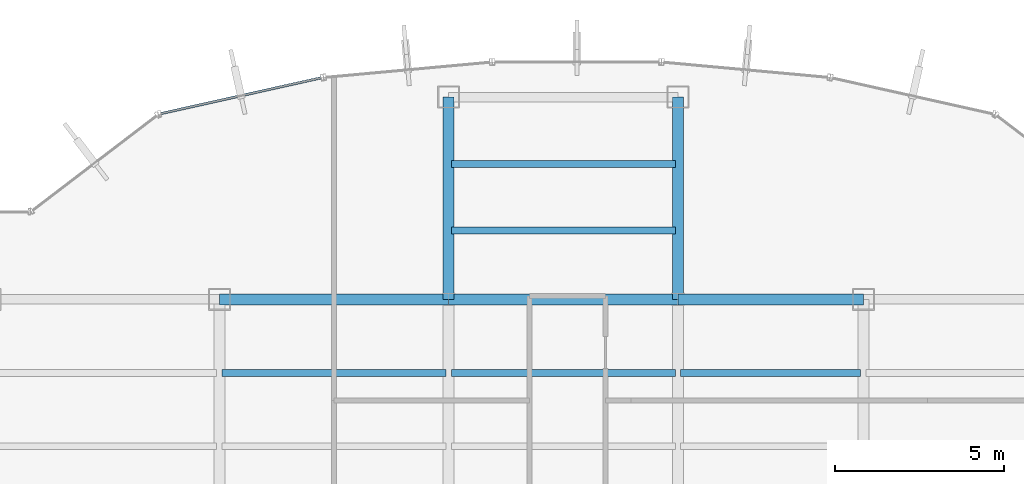
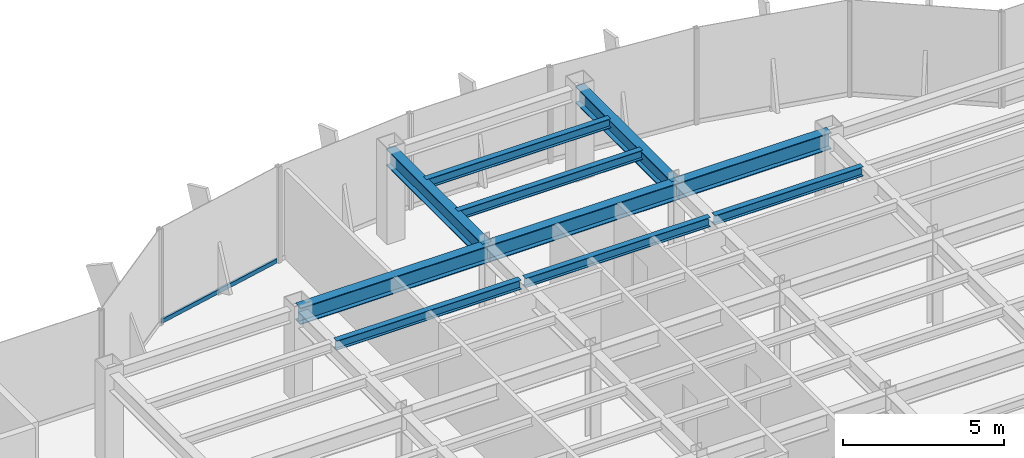
# One storey, part 15 of 25: 10 beams, 1 member, 1 element without a shape of its own.
"""IFC4 building model written with IfcOpenShell, lengths in metres."""

import ifcopenshell
import ifcopenshell.guid

model = None  # the IFC model being written
_history = None  # IfcOwnerHistory: only IFC2X3 demands one
_inside = {}  # id of a spatial element -> (the spatial element, [elements in it])
_under = {}  # id of a project, library or spatial element -> (it, [spatial elements below it])
_declared = {}  # id of a project -> (the project, [libraries it declares])
_typed = {}  # id of a type object -> (the type object, [elements of that type])
_made_of = {}  # id of a material, layer set ... -> (it, [elements and type objects made of it])


def new_model(schema):
    """Start an empty IFC model of exactly this schema.

    Asked for "IFC4X3", IfcOpenShell would pick the latest addendum, in which some entities
    have other attributes; the version numbers below select the first issue.
    IFC2X3 requires an IfcOwnerHistory on every rooted entity: one is made here for all.
    """
    global model, _history
    if schema == "IFC4X3":
        model = ifcopenshell.file(schema_version=(4, 3, 0, 0))
    else:
        model = ifcopenshell.file(schema=schema)
    _inside.clear()
    _under.clear()
    _declared.clear()
    _typed.clear()
    _made_of.clear()
    _history = None
    if model.schema == "IFC2X3":
        org = make("IfcOrganization", Name="unknown")
        user = make(
            "IfcPersonAndOrganization",
            ThePerson=make("IfcPerson", FamilyName="unknown"),
            TheOrganization=org,
        )
        app = make(
            "IfcApplication",
            ApplicationDeveloper=org,
            Version="unknown",
            ApplicationFullName="unknown",
            ApplicationIdentifier="unknown",
        )
        _history = make(
            "IfcOwnerHistory",
            OwningUser=user,
            OwningApplication=app,
            ChangeAction="ADDED",
            CreationDate=0,
        )
    return model


def make(cls, **values):
    """One entity of the class cls with the attributes given. An attribute that is None is left unset."""
    return model.create_entity(
        cls, **{name: value for name, value in values.items() if value is not None}
    )


def rooted(cls, **values):
    """An entity with a GlobalId (a new one), such as an element, a storey or a relation."""
    return make(cls, GlobalId=ifcopenshell.guid.new(), OwnerHistory=_history, **values)


def si_unit(unit_type, name, prefix=None):
    """IfcSIUnit, for example si_unit("LENGTHUNIT", "METRE", prefix="MILLI")."""
    return make("IfcSIUnit", UnitType=unit_type, Prefix=prefix, Name=name)


def derived_unit(unit_type, elements):
    """IfcDerivedUnit: a product of units, each with its exponent."""
    return make(
        "IfcDerivedUnit",
        Elements=[
            make("IfcDerivedUnitElement", Unit=unit, Exponent=power)
            for unit, power in elements
        ],
        UnitType=unit_type,
    )


def assignment(units):
    """IfcUnitAssignment: the units of a project."""
    return None if units is None else make("IfcUnitAssignment", Units=units)


def point(xyz):
    """IfcCartesianPoint."""
    return None if xyz is None else make("IfcCartesianPoint", Coordinates=xyz)


def direction(xyz):
    """IfcDirection."""
    return None if xyz is None else make("IfcDirection", DirectionRatios=xyz)


def frame(location, z_axis=None, x_axis=None):
    """IfcAxis2Placement3D, a coordinate frame: its origin and axes. An axis left out is left unset."""
    return make(
        "IfcAxis2Placement3D",
        Location=point(location),
        Axis=direction(z_axis),
        RefDirection=direction(x_axis),
    )


def frame_2d(location, x_axis=None):
    """IfcAxis2Placement2D, a coordinate frame in the plane: its origin and x axis."""
    return make(
        "IfcAxis2Placement2D", Location=point(location), RefDirection=direction(x_axis)
    )


def origin():
    """The frame at (0, 0, 0) with its axes left unset."""
    return frame((0.0, 0.0, 0.0))


def origin_2d():
    """The frame at (0, 0) in the plane with its x axis left unset."""
    return frame_2d((0.0, 0.0))


def place(relative_to, where):
    """IfcLocalPlacement: puts the frame where relative to a parent placement (None: the world)."""
    return make(
        "IfcLocalPlacement", PlacementRelTo=relative_to, RelativePlacement=where
    )


def context(
    kind, dimensions, precision=None, world=None, true_north=None, identifier=None
):
    """IfcGeometricRepresentationContext, for example the 3D "Model" context."""
    return make(
        "IfcGeometricRepresentationContext",
        ContextIdentifier=identifier,
        ContextType=kind,
        CoordinateSpaceDimension=dimensions,
        Precision=precision,
        WorldCoordinateSystem=world,
        TrueNorth=true_north,
    )


def subcontext(parent, identifier, kind, view, scale=None):
    """IfcGeometricRepresentationSubContext, for example "Body" below "Model"."""
    return make(
        "IfcGeometricRepresentationSubContext",
        ContextIdentifier=identifier,
        ContextType=kind,
        ParentContext=parent,
        TargetScale=scale,
        TargetView=view,
    )


def project(units=None, contexts=None):
    """IfcProject with its units and contexts."""
    return rooted(
        "IfcProject",
        Name="project",
        RepresentationContexts=contexts,
        UnitsInContext=assignment(units),
    )


def spatial(cls, under=None, at=None, **own):
    """A site, building, storey or space (cls), placed at a placement, below another one or the project."""
    s = rooted(cls, ObjectPlacement=at, **own)
    if under is not None:
        _under.setdefault(under.id(), (under, []))[1].append(s)
    return s


def profile(cls, at=None, kind="AREA", **sizes):
    """A parametric profile (cls). Its sizes go by their IFC names, for example OverallWidth=200.0."""
    return make(cls, ProfileType=kind, Position=at, **sizes)


def hollow_rectangle(**sizes):
    """IfcRectangleHollowProfileDef."""
    return profile("IfcRectangleHollowProfileDef", **sizes)


def i_section(**sizes):
    """IfcIShapeProfileDef."""
    return profile("IfcIShapeProfileDef", **sizes)


def extrude(swept, where, along, depth):
    """IfcExtrudedAreaSolid: the profile swept, set in the frame where, extruded along a direction by depth."""
    return make(
        "IfcExtrudedAreaSolid",
        SweptArea=swept,
        Position=where,
        ExtrudedDirection=direction(along),
        Depth=depth,
    )


def shape(context_of_items, identifier, shape_type, items):
    """IfcShapeRepresentation: the items that make up one representation, for example the "Body"."""
    return make(
        "IfcShapeRepresentation",
        ContextOfItems=context_of_items,
        RepresentationIdentifier=identifier,
        RepresentationType=shape_type,
        Items=items,
    )


def source(mapping_origin, context_of_items, identifier, shape_type, items):
    """IfcRepresentationMap: a shape defined once, which mapped items show again and again."""
    return make(
        "IfcRepresentationMap",
        MappingOrigin=mapping_origin,
        MappedRepresentation=shape(context_of_items, identifier, shape_type, items),
    )


def transform(
    local_origin,
    x_axis=None,
    y_axis=None,
    z_axis=None,
    scale=None,
    scale2=None,
    scale3=None,
    uniform=True,
):
    """IfcCartesianTransformationOperator3D, or its non-uniform kind. x_axis, y_axis, z_axis: its Axis1, 2, 3."""
    if uniform:
        return make(
            "IfcCartesianTransformationOperator3D",
            Axis1=direction(x_axis),
            Axis2=direction(y_axis),
            LocalOrigin=point(local_origin),
            Scale=scale,
            Axis3=direction(z_axis),
        )
    return make(
        "IfcCartesianTransformationOperator3DnonUniform",
        Axis1=direction(x_axis),
        Axis2=direction(y_axis),
        LocalOrigin=point(local_origin),
        Scale=scale,
        Axis3=direction(z_axis),
        Scale2=scale2,
        Scale3=scale3,
    )


def mapped(mapping_source, mapping_target):
    """IfcMappedItem: shows the shape of a source again, moved by a transform."""
    return make(
        "IfcMappedItem", MappingSource=mapping_source, MappingTarget=mapping_target
    )


def material(Name=None, Category=None):
    """IfcMaterial."""
    return make("IfcMaterial", Name=Name, Category=Category)


def material_profile(
    of_material, cross_section, Name=None, Category=None, Priority=None
):
    """IfcMaterialProfile: a cross section and its material."""
    return make(
        "IfcMaterialProfile",
        Name=Name,
        Material=of_material,
        Profile=cross_section,
        Priority=Priority,
        Category=Category,
    )


def profile_set(profiles, Name=None, composite=None):
    """IfcMaterialProfileSet."""
    return make(
        "IfcMaterialProfileSet",
        Name=Name,
        MaterialProfiles=profiles,
        CompositeProfile=composite,
    )


def made_of(thing, what):
    """Note that an element or type object is made of a material, layer set ...; save() writes the relation."""
    if what is not None:
        _made_of.setdefault(what.id(), (what, []))[1].append(thing)
    return thing


def type_object(cls, material=None, **own):
    """A type object (cls), such as IfcWallType, which elements share."""
    return made_of(rooted(cls, **own), material)


def element(
    cls,
    number,
    at=None,
    inside=None,
    cuts=None,
    type_object=None,
    material=None,
    context=None,
    identifier="Body",
    shape_type=None,
    held_by="IfcProductDefinitionShape",
    body=None,
    shapes=None,
    **own,
):
    """One element of the class cls, such as IfcWall. Its Tag is "e" and its number.

    at: its placement. inside: the storey or other place that contains it. cuts: it is an
    opening in that element (IfcRelVoidsElement). A single representation is given by context,
    identifier, shape_type and body (its items); several are given by shapes. held_by: the class
    of the entity that holds the representations. save() writes the other relations.
    """
    e = rooted(cls, Tag="e%d" % number, ObjectPlacement=at, **own)
    if body is not None:
        shapes = [shape(context, identifier, shape_type, body)]
    if shapes is not None:
        e.Representation = make(held_by, Representations=shapes)
    if inside is not None:
        _inside.setdefault(inside.id(), (inside, []))[1].append(e)
    if cuts is not None:
        rooted(
            "IfcRelVoidsElement", RelatingBuildingElement=cuts, RelatedOpeningElement=e
        )
    if type_object is not None:
        _typed.setdefault(type_object.id(), (type_object, []))[1].append(e)
    return made_of(e, material)


def aggregate(whole, parts):
    """IfcRelAggregates: a whole, such as a stair, and the parts it consists of."""
    return rooted("IfcRelAggregates", RelatingObject=whole, RelatedObjects=parts)


def save(model, path):
    """Write the relations noted so far, then the file.

    IfcRelAggregates (storeys below a building ...), IfcRelContainedInSpatialStructure (elements
    in a storey), IfcRelDefinesByType, IfcRelAssociatesMaterial and IfcRelDeclares: one each for
    every whole, place, type object, material and project.
    """
    for whole, parts in _under.values():
        aggregate(whole, parts)
    for where, things in _inside.values():
        rooted(
            "IfcRelContainedInSpatialStructure",
            RelatedElements=things,
            RelatingStructure=where,
        )
    for kind, things in _typed.values():
        rooted("IfcRelDefinesByType", RelatedObjects=things, RelatingType=kind)
    for what, things in _made_of.values():
        rooted("IfcRelAssociatesMaterial", RelatedObjects=things, RelatingMaterial=what)
    for by, libraries in _declared.values():
        rooted("IfcRelDeclares", RelatingContext=by, RelatedDefinitions=libraries)
    model.write(path)


model = new_model("IFC4")

# Units and contexts
model_context = context("Model", 3, precision=1e-05, world=origin(), true_north=direction((0.0, 1.0)))
body_context = subcontext(model_context, "Body", "Model", "MODEL_VIEW")
ifc_project = project(units=[si_unit("LENGTHUNIT", "METRE"), si_unit("AREAUNIT", "SQUARE_METRE"), si_unit("VOLUMEUNIT", "CUBIC_METRE"), si_unit("PLANEANGLEUNIT", "RADIAN"), si_unit("MASSUNIT", "GRAM", prefix="KILO"), derived_unit("THERMALTRANSMITTANCEUNIT", [(si_unit("POWERUNIT", "WATT"), 1), (si_unit("LENGTHUNIT", "METRE"), -2), (si_unit("THERMODYNAMICTEMPERATUREUNIT", "KELVIN"), -1)])], contexts=[model_context])

# Site, building, storey
site_placement = place(None, origin())
site = spatial("IfcSite", under=ifc_project, at=site_placement, CompositionType="ELEMENT")
building_placement = place(site_placement, origin())
building = spatial("IfcBuilding", under=site, at=building_placement, Name="Skarnbrae Concourse Arena and Tower", CompositionType="ELEMENT")
storey_placement = place(building_placement, frame((0.0, 0.0, 147.89990234375)))
storey = spatial("IfcBuildingStorey", under=building, at=storey_placement, Name="L37", CompositionType="ELEMENT", Elevation=147.89990234375)

# Beams
ifc_material_1 = material(Name="Steel CSA G40.21 350W", Category="steel")
ifc_material_profile_1 = material_profile(ifc_material_1, i_section(OverallWidth=0.3291015625, OverallDepth=0.635009765625, WebThickness=0.017822265625, FlangeThickness=0.031005859375, at=origin_2d()), Name="W610X241")
ifc_profile_set_1 = profile_set([ifc_material_profile_1], Name="Steel CSA G40.21 350W")
beam_type_1 = type_object("IfcBeamType", Name="BM-GIRD-W610X241", PredefinedType="BEAM", material=ifc_profile_set_1)
shared_shape_1 = source(origin(), body_context, "Body", "SweptSolid", [
    extrude(i_section(OverallWidth=0.3291015625, OverallDepth=0.635009765625, WebThickness=0.017822265625, FlangeThickness=0.031005859375, at=origin_2d()), origin(), (0.0, 0.0, 1.0), 6.800048828125),
])
for number, where, z_axis, x_axis, name in (
    (1, (14.39990234375, 34.39990234375, 3.08251953125), (1.0, 0.0, 0.0), (0.0, 1.0, 0.0), "L37 Primary E-W girder Y34.4-2"),
    (2, (21.199951171875, 34.39990234375, 3.08251953125), (1.0, 0.0, 0.0), (0.0, 1.0, 0.0), "L37 Primary E-W girder Y34.4-3"),
):
    element("IfcBeam", number, at=place(storey_placement, frame(where, z_axis=z_axis, x_axis=x_axis)), inside=storey, type_object=beam_type_1, Name=name, PredefinedType="BEAM", context=body_context, shape_type="MappedRepresentation", body=[
        mapped(shared_shape_1, transform((0.0, 0.0, 0.0))),
    ])
shared_shape_2 = source(origin(), body_context, "Body", "SweptSolid", [
    extrude(i_section(OverallWidth=0.3291015625, OverallDepth=0.635009765625, WebThickness=0.017822265625, FlangeThickness=0.031005859375, at=origin_2d()), origin(), (0.0, 0.0, 1.0), 5.5),
])
beam_1_placement = place(storey_placement, frame((28.0, 34.39990234375, 3.08251953125), z_axis=(1.0, 0.0, 0.0), x_axis=(0.0, 1.0, 0.0)))
element("IfcBeam", 3, at=beam_1_placement, inside=storey, type_object=beam_type_1, Name="L37 Primary E-W girder Y34.4-4", PredefinedType="BEAM", context=body_context, shape_type="MappedRepresentation", body=[
    mapped(shared_shape_2, transform((0.0, 0.0, 0.0))),
])
shared_shape_3 = source(origin(), body_context, "Body", "SweptSolid", [
    extrude(i_section(OverallWidth=0.3291015625, OverallDepth=0.635009765625, WebThickness=0.017822265625, FlangeThickness=0.031005859375, at=origin_2d()), origin(), (0.0, 0.0, 1.0), 6.0),
])
for number, where, z_axis, x_axis, name in (
    (4, (21.199951171875, 34.39990234375, 3.08251953125), (0.0, 1.0, 0.0), (-1.0, 0.0, 0.0), "L37 Primary N-S girder X21.2-4"),
    (5, (28.0, 34.39990234375, 3.08251953125), (0.0, 1.0, 0.0), (-1.0, 0.0, 0.0), "L37 Primary N-S girder X28.0-4"),
):
    element("IfcBeam", number, at=place(storey_placement, frame(where, z_axis=z_axis, x_axis=x_axis)), inside=storey, type_object=beam_type_1, Name=name, PredefinedType="BEAM", context=body_context, shape_type="MappedRepresentation", body=[
        mapped(shared_shape_3, transform((0.0, 0.0, 0.0))),
    ])
ifc_material_profile_2 = material_profile(ifc_material_1, i_section(OverallWidth=0.205078125, OverallDepth=0.35400390625, WebThickness=0.009521484375, FlangeThickness=0.016845703125, at=origin_2d()), Name="W360X79")
ifc_profile_set_2 = profile_set([ifc_material_profile_2], Name="Steel CSA G40.21 350W")
beam_type_2 = type_object("IfcBeamType", Name="BM-JOIST-W360X79", PredefinedType="JOIST", material=ifc_profile_set_2)
shared_shape_4 = source(origin(), body_context, "Body", "SweptSolid", [
    extrude(i_section(OverallWidth=0.205078125, OverallDepth=0.35400390625, WebThickness=0.009521484375, FlangeThickness=0.016845703125, at=origin_2d()), origin(), (0.0, 0.0, 1.0), 6.64013671875),
])
beam_2_placement = place(storey_placement, frame((14.47998046875, 32.221923828125, 3.22314453125), z_axis=(1.0, 0.0, 0.0), x_axis=(0.0, 1.0, 0.0)))
element("IfcBeam", 6, at=beam_2_placement, inside=storey, type_object=beam_type_2, Name="L37 Secondary floor joist 3.2.2", PredefinedType="JOIST", context=body_context, shape_type="MappedRepresentation", body=[
    mapped(shared_shape_4, transform((0.0, 0.0, 0.0))),
])
shared_shape_5 = source(origin(), body_context, "Body", "SweptSolid", [
    extrude(i_section(OverallWidth=0.205078125, OverallDepth=0.35400390625, WebThickness=0.009521484375, FlangeThickness=0.016845703125, at=origin_2d()), origin(), (0.0, 0.0, 1.0), 6.639892578125),
])
for number, where, z_axis, x_axis, name in (
    (7, (21.280029296875, 32.221923828125, 3.22314453125), (1.0, 0.0, 0.0), (0.0, 1.0, 0.0), "L37 Secondary floor joist 3.2.3"),
    (8, (21.280029296875, 36.43994140625, 3.22314453125), (1.0, 0.0, 0.0), (0.0, 1.0, 0.0), "L37 Secondary floor joist 4.1.1"),
    (9, (21.280029296875, 38.419921875, 3.22314453125), (1.0, 0.0, 0.0), (0.0, 1.0, 0.0), "L37 Secondary floor joist 4.2.1"),
):
    element("IfcBeam", number, at=place(storey_placement, frame(where, z_axis=z_axis, x_axis=x_axis)), inside=storey, type_object=beam_type_2, Name=name, PredefinedType="JOIST", context=body_context, shape_type="MappedRepresentation", body=[
        mapped(shared_shape_5, transform((0.0, 0.0, 0.0))),
    ])
shared_shape_6 = source(origin(), body_context, "Body", "SweptSolid", [
    extrude(i_section(OverallWidth=0.205078125, OverallDepth=0.35400390625, WebThickness=0.009521484375, FlangeThickness=0.016845703125, at=origin_2d()), origin(), (0.0, 0.0, 1.0), 5.33984375),
])
beam_3_placement = place(storey_placement, frame((28.080078125, 32.221923828125, 3.22314453125), z_axis=(1.0, 0.0, 0.0), x_axis=(0.0, 1.0, 0.0)))
element("IfcBeam", 10, at=beam_3_placement, inside=storey, type_object=beam_type_2, Name="L37 Secondary floor joist 3.2.4", PredefinedType="JOIST", context=body_context, shape_type="MappedRepresentation", body=[
    mapped(shared_shape_6, transform((0.0, 0.0, 0.0))),
])

# Curtain wall, member
ifc_material_2 = material(Name="Bronze anodised aluminium 6063-T6", Category="aluminium")
curtain_wall_type = type_object("IfcCurtainWallType", Name="CW-SYS-04-MIDZONE", PredefinedType="USERDEFINED", material=ifc_material_2)
curtain_wall_placement = place(storey_placement, origin())
curtain_wall = element("IfcCurtainWall", 11, at=curtain_wall_placement, inside=storey, type_object=curtain_wall_type, Name="L37 Unitised curtain wall CW-L37-E13", ObjectType="UNITISED CURTAIN WALL", PredefinedType="USERDEFINED")
ifc_material_profile_3 = material_profile(ifc_material_2, hollow_rectangle(XDim=0.074951171875, YDim=0.159912109375, WallThickness=0.00439453125, at=origin_2d()), Name="ALU-TRAN-75X160")
ifc_profile_set_3 = profile_set([ifc_material_profile_3], Name="Bronze anodised aluminium 6063-T6")
member_type = type_object("IfcMemberType", Name="CWT-CW-04", PredefinedType="USERDEFINED", material=ifc_profile_set_3)
shared_shape_7 = source(origin(), body_context, "Body", "SweptSolid", [
    extrude(hollow_rectangle(XDim=0.074951171875, YDim=0.159912109375, WallThickness=0.00439453125, at=origin_2d()), origin(), (0.0, 0.0, 1.0), 4.867919921875),
])
member_placement = place(storey_placement, frame((17.41455078125, 40.970458984375, 0.080078125), z_axis=(-0.975944534406, -0.218018957349, 0.0), x_axis=(0.218018957349, -0.975944534406, 0.0)))
member = element("IfcMember", 12, at=member_placement, type_object=member_type, Name="CW-L37-E13 Transom 1", ObjectType="TRANSOM", PredefinedType="USERDEFINED", context=body_context, shape_type="MappedRepresentation", body=[
    mapped(shared_shape_7, transform((0.0, 0.0, 0.0))),
])
aggregate(curtain_wall, [member])

save(model, "model.ifc")
